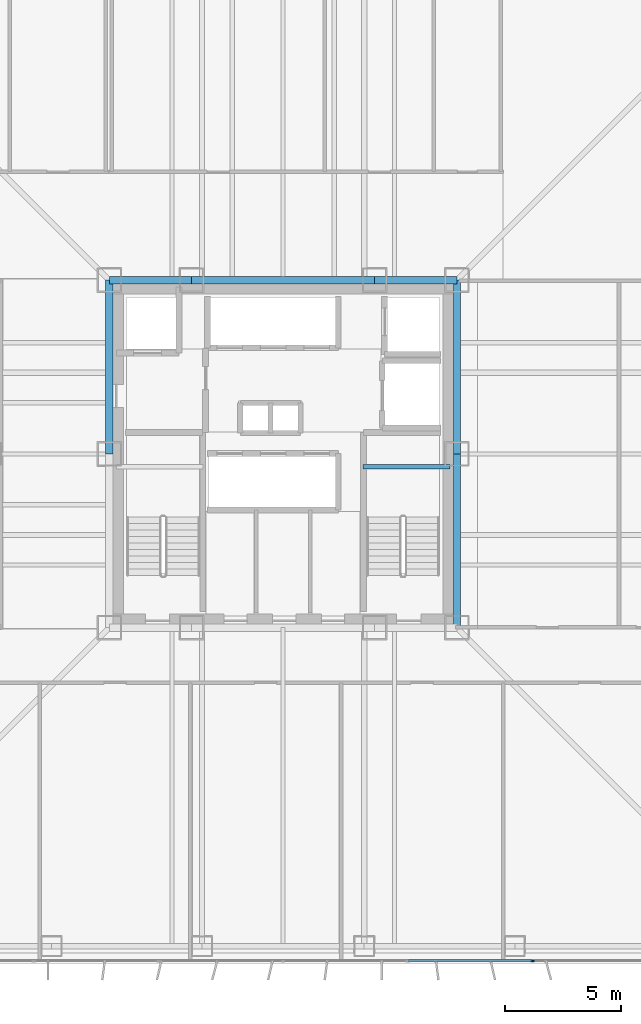
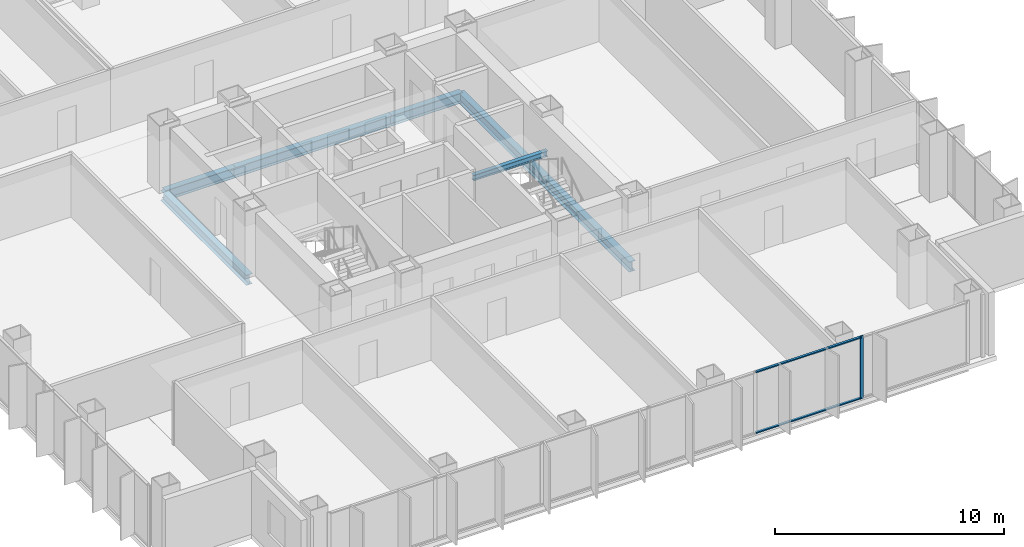
# One storey, part 5 of 15: 7 beams, 3 members, 1 element without a shape of its own.
"""IFC4 building model written with IfcOpenShell, lengths in metres."""

from ifc_helpers import new_model, si_unit, direction, frame, origin, origin_2d, place, context, subcontext, project, spatial, rectangle, i_section, extrude, material, layer, layer_set, material_profile, profile_set, type_object, element, aggregate, save


model = new_model("IFC4")

# Units and contexts
model_context = context("Model", 3, precision=1e-05, world=origin(), true_north=direction((0.0, 1.0)))
body_context = subcontext(model_context, "Body", "Model", "MODEL_VIEW")
ifc_project = project(units=[si_unit("LENGTHUNIT", "METRE"), si_unit("AREAUNIT", "SQUARE_METRE"), si_unit("VOLUMEUNIT", "CUBIC_METRE"), si_unit("PLANEANGLEUNIT", "RADIAN"), si_unit("MASSUNIT", "GRAM", prefix="KILO")], contexts=[model_context])

# Site, building, storey
site_placement = place(None, origin())
site = spatial("IfcSite", under=ifc_project, at=site_placement, CompositionType="ELEMENT")
building_placement = place(site_placement, origin())
building = spatial("IfcBuilding", under=site, at=building_placement, Name="Trevonay Congress Spire", CompositionType="ELEMENT")
storey_placement = place(building_placement, frame((0.0, 0.0, 115.60009765625)))
storey = spatial("IfcBuildingStorey", under=building, at=storey_placement, Name="L29", CompositionType="ELEMENT", Elevation=115.60009765625)

# Beams
ifc_material_1 = material(Name="Steel ASTM A572 Grade 50", Category="steel")
ifc_material_profile_1 = material_profile(ifc_material_1, i_section(OverallWidth=0.31201171875, OverallDepth=0.54296875, WebThickness=0.0126953125, FlangeThickness=0.020263671875, FilletRadius=0.014892578125, at=origin_2d()), Name="W530x150")
ifc_profile_set_1 = profile_set([ifc_material_profile_1], Name="Steel ASTM A572 Grade 50")
beam_type_1 = type_object("IfcBeamType", Name="BM-GIRD-W530X150", PredefinedType="BEAM", material=ifc_profile_set_1)
beam_1_placement = place(storey_placement, frame((-7.5, 7.5, -0.51171875), z_axis=(1.0, 0.0, 0.0), x_axis=(0.0, 1.0, 0.0)))
element("IfcBeam", 1, at=beam_1_placement, inside=storey, type_object=beam_type_1, Name="L29 structural beam BM-L29-CR-N1", PredefinedType="BEAM", context=body_context, shape_type="SweptSolid", body=[
    extrude(i_section(OverallWidth=0.31201171875, OverallDepth=0.54296875, WebThickness=0.0126953125, FlangeThickness=0.020263671875, FilletRadius=0.014892578125, at=origin_2d()), origin(), (0.0, 0.0, 1.0), 3.550048828125),
])
beam_2_placement = place(storey_placement, frame((-3.949951171875, 7.5, -0.51171875), z_axis=(1.0, 0.0, 0.0), x_axis=(0.0, 1.0, 0.0)))
element("IfcBeam", 2, at=beam_2_placement, inside=storey, type_object=beam_type_1, Name="L29 structural beam BM-L29-CR-N2", PredefinedType="BEAM", context=body_context, shape_type="SweptSolid", body=[
    extrude(i_section(OverallWidth=0.31201171875, OverallDepth=0.54296875, WebThickness=0.0126953125, FlangeThickness=0.020263671875, FilletRadius=0.014892578125, at=origin_2d()), origin(), (0.0, 0.0, 1.0), 7.89990234375),
])
beam_3_placement = place(storey_placement, frame((3.949951171875, 7.5, -0.51171875), z_axis=(1.0, 0.0, 0.0), x_axis=(0.0, 1.0, 0.0)))
element("IfcBeam", 3, at=beam_3_placement, inside=storey, type_object=beam_type_1, Name="L29 structural beam BM-L29-CR-N3", PredefinedType="BEAM", context=body_context, shape_type="SweptSolid", body=[
    extrude(i_section(OverallWidth=0.31201171875, OverallDepth=0.54296875, WebThickness=0.0126953125, FlangeThickness=0.020263671875, FilletRadius=0.014892578125, at=origin_2d()), origin(), (0.0, 0.0, 1.0), 3.550048828125),
])
for number, where, z_axis, x_axis, name in (
    (4, (-7.5, 0.0, -0.51171875), (0.0, 1.0, 0.0), (-1.0, 0.0, 0.0), "L29 structural beam BM-L29-CR-W2"),
    (5, (7.5, -7.5, -0.51171875), (0.0, 1.0, 0.0), (-1.0, 0.0, 0.0), "L29 structural beam BM-L29-CR-E1"),
    (6, (7.5, 0.0, -0.51171875), (0.0, 1.0, 0.0), (-1.0, 0.0, 0.0), "L29 structural beam BM-L29-CR-E2"),
):
    element("IfcBeam", number, at=place(storey_placement, frame(where, z_axis=z_axis, x_axis=x_axis)), inside=storey, type_object=beam_type_1, Name=name, PredefinedType="BEAM", context=body_context, shape_type="SweptSolid", body=[
        extrude(i_section(OverallWidth=0.31201171875, OverallDepth=0.54296875, WebThickness=0.0126953125, FlangeThickness=0.020263671875, FilletRadius=0.014892578125, at=origin_2d()), origin(), (0.0, 0.0, 1.0), 7.5),
    ])

# Curtain wall, members
ifc_material_2 = material(Name="Pale Anodised Aluminium EN AW-6063-T6", Category="aluminium")
ifc_layer = layer(ifc_material_2, 0.175048828125, Name="Pale Anodised Aluminium EN AW-6063-T6")
ifc_layer_set = layer_set([ifc_layer], Name="Pale Anodised Aluminium EN AW-6063-T6")
curtain_wall_type = type_object("IfcCurtainWallType", Name="CW-SYS03-CONGRESS-PALE-METAL", PredefinedType="NOTDEFINED", material=ifc_layer_set)
curtain_wall_placement = place(storey_placement, origin())
curtain_wall = element("IfcCurtainWall", 7, at=curtain_wall_placement, inside=storey, type_object=curtain_wall_type, Name="L29 S unitised curtain wall", PredefinedType="NOTDEFINED")
ifc_material_profile_2 = material_profile(ifc_material_2, rectangle(XDim=0.06005859375, YDim=0.159912109375, at=origin_2d()), Name="CW-MULLION-160-ALUMINIUM")
ifc_profile_set_2 = profile_set([ifc_material_profile_2], Name="Pale Anodised Aluminium EN AW-6063-T6")
member_type_1 = type_object("IfcMemberType", Name="CW-MULLION-160-ALUMINIUM", PredefinedType="MULLION", material=ifc_profile_set_2)
member_1_placement = place(storey_placement, frame((10.7666015625, -21.8798828125, 0.0), z_axis=(0.0, 0.0, 1.0), x_axis=(0.0, 1.0, 0.0)))
member_1 = element("IfcMember", 8, at=member_1_placement, type_object=member_type_1, Name="CW03 mullion 6", PredefinedType="MULLION", context=body_context, shape_type="SweptSolid", body=[
    extrude(rectangle(XDim=0.06005859375, YDim=0.159912109375, at=origin_2d()), origin(), (0.0, 0.0, 1.0), 3.35986328125),
])
ifc_material_profile_3 = material_profile(ifc_material_2, rectangle(XDim=0.1201171875, YDim=0.06005859375, at=origin_2d()), Name="CW-TRANSOM-120-ALUMINIUM")
ifc_profile_set_3 = profile_set([ifc_material_profile_3], Name="Pale Anodised Aluminium EN AW-6063-T6")
member_type_2 = type_object("IfcMemberType", Name="CW-TRANSOM-120-ALUMINIUM", PredefinedType="USERDEFINED", material=ifc_profile_set_3)
member_2_placement = place(storey_placement, frame((5.413330078125, -21.8798828125, 0.059814453125), z_axis=(1.0, 0.0, 0.0), x_axis=(0.0, 1.0, 0.0)))
member_2 = element("IfcMember", 9, at=member_2_placement, type_object=member_type_2, Name="CW03 transom 5.1", ObjectType="TRANSOM", PredefinedType="USERDEFINED", context=body_context, shape_type="SweptSolid", body=[
    extrude(rectangle(XDim=0.1201171875, YDim=0.06005859375, at=origin_2d()), origin(), (0.0, 0.0, 1.0), 5.3232421875),
])
member_3_placement = place(storey_placement, frame((5.413330078125, -21.8798828125, 3.2998046875), z_axis=(1.0, 0.0, 0.0), x_axis=(0.0, 1.0, 0.0)))
member_3 = element("IfcMember", 10, at=member_3_placement, type_object=member_type_2, Name="CW03 transom 5.2", ObjectType="TRANSOM", PredefinedType="USERDEFINED", context=body_context, shape_type="SweptSolid", body=[
    extrude(rectangle(XDim=0.1201171875, YDim=0.06005859375, at=origin_2d()), origin(), (0.0, 0.0, 1.0), 5.3232421875),
])
aggregate(curtain_wall, [member_1, member_2, member_3])

# Beam
ifc_material_profile_4 = material_profile(ifc_material_1, i_section(OverallWidth=0.2041015625, OverallDepth=0.305908203125, WebThickness=0.008544921875, FlangeThickness=0.0146484375, FilletRadius=0.010986328125, at=origin_2d()), Name="W310x67")
ifc_profile_set_4 = profile_set([ifc_material_profile_4], Name="Steel ASTM A572 Grade 50")
beam_type_2 = type_object("IfcBeamType", Name="LN-CORE-W310X67", PredefinedType="LINTEL", material=ifc_profile_set_4)
beam_4_placement = place(storey_placement, frame((3.449951171875, -0.550048828125, 1.447021484375), z_axis=(1.0, 0.0, 0.0), x_axis=(0.0, 1.0, 0.0)))
element("IfcBeam", 11, at=beam_4_placement, inside=storey, type_object=beam_type_2, Name="L29 structural beam BM-L29-HL-ST2", PredefinedType="LINTEL", context=body_context, shape_type="SweptSolid", body=[
    extrude(i_section(OverallWidth=0.2041015625, OverallDepth=0.305908203125, WebThickness=0.008544921875, FlangeThickness=0.0146484375, FilletRadius=0.010986328125, at=origin_2d()), origin(), (0.0, 0.0, 1.0), 3.75),
])

save(model, "model.ifc")
